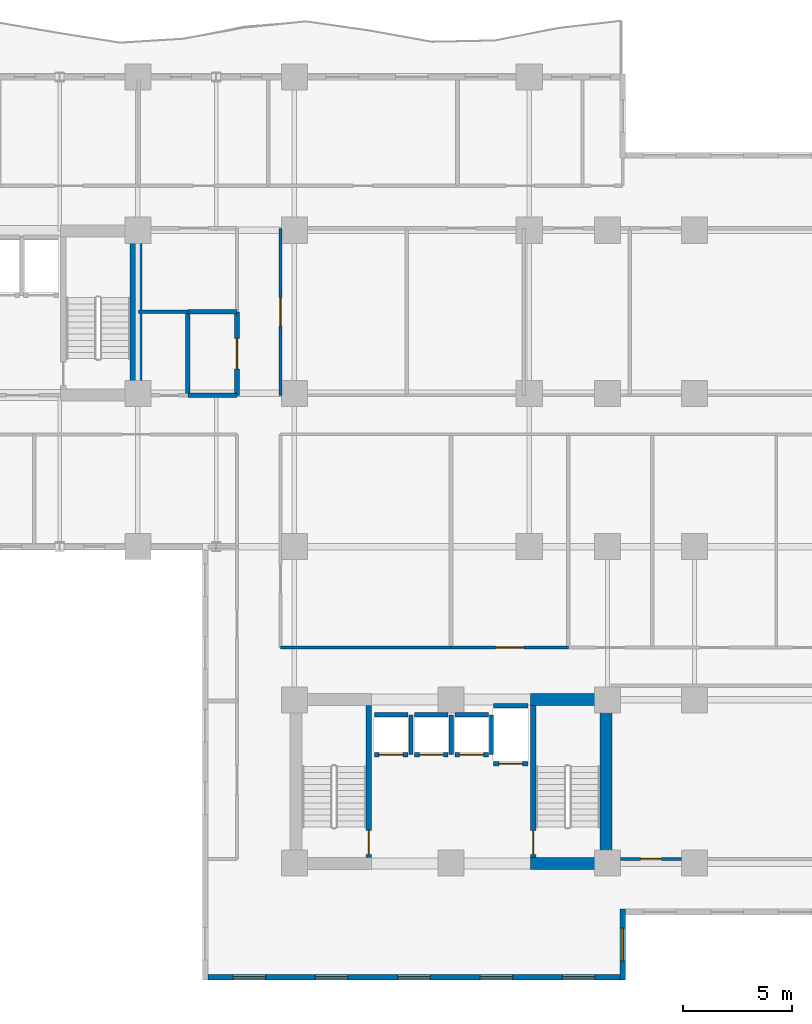
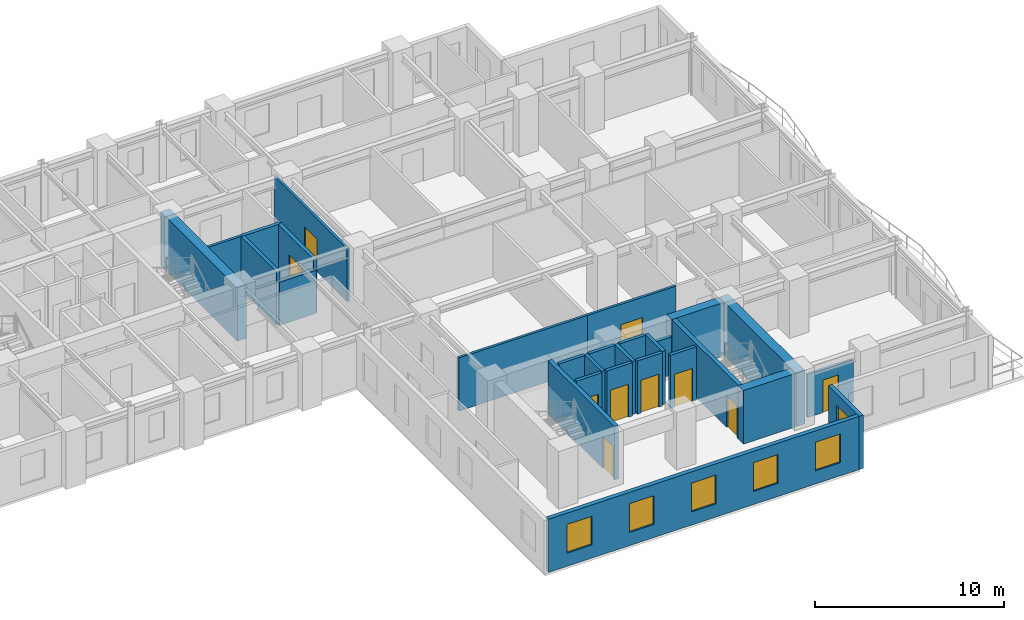
# One storey, part 10 of 17: 28 walls, 10 doors, 6 windows, 16 openings.
"""IFC4 building model written with IfcOpenShell, lengths in metres."""

from ifc_helpers import new_model, si_unit, direction, frame, frame_2d, origin, place, context, subcontext, project, spatial, rectangle, extrude, material, layer, layer_set, type_object, element, fill, save


model = new_model("IFC4")

# Units and contexts
model_context = context("Model", 3, precision=1e-05, world=origin(), true_north=direction((0.0, 1.0)))
body_context = subcontext(model_context, "Body", "Model", "MODEL_VIEW")
ifc_project = project(units=[si_unit("LENGTHUNIT", "METRE"), si_unit("AREAUNIT", "SQUARE_METRE"), si_unit("VOLUMEUNIT", "CUBIC_METRE"), si_unit("PLANEANGLEUNIT", "RADIAN"), si_unit("MASSUNIT", "GRAM", prefix="KILO")], contexts=[model_context])

# Site, building, storey
site_placement = place(None, origin())
site = spatial("IfcSite", under=ifc_project, at=site_placement, CompositionType="ELEMENT")
building_placement = place(site_placement, origin())
building = spatial("IfcBuilding", under=site, at=building_placement, Name="Kaliganga Portal Commons", CompositionType="ELEMENT")
storey_placement = place(building_placement, frame((0.0, 0.0, 108.199951171875)))
storey = spatial("IfcBuildingStorey", under=building, at=storey_placement, Name="L27", CompositionType="ELEMENT", Elevation=108.199951171875)

# Walls
ifc_material_1 = material(Name="Concrete C60/75", Category="concrete")
ifc_layer_1 = layer(ifc_material_1, 0.550048828125)
ifc_layer_set_1 = layer_set([ifc_layer_1], Name="Concrete C60/75")
wall_type_1 = type_object("IfcWallType", Name="WL-CORE-550", PredefinedType="SHEAR", material=ifc_layer_set_1)
wall_1_placement = place(storey_placement, frame((28.72509765625, 28.300048828125, 0.0), z_axis=(0.0, 0.0, 1.0), x_axis=(0.0, 1.0, 0.0)))
element("IfcWall", 1, at=wall_1_placement, inside=storey, type_object=wall_type_1, Name="Core A East Shear Wall L27", PredefinedType="SHEAR", context=body_context, shape_type="SweptSolid", body=[
    extrude(rectangle(XDim=8.099853515625, YDim=0.550048828125, at=frame_2d((4.0498046875, 0.0))), origin(), (0.0, 0.0, 1.0), 3.449951171875),
])
wall_2_placement = place(storey_placement, frame((50.324951171875, 6.75, 0.0), z_axis=(0.0, 0.0, 1.0), x_axis=(0.0, 1.0, 0.0)))
element("IfcWall", 2, at=wall_2_placement, inside=storey, type_object=wall_type_1, Name="Core B East Shear Wall L27", PredefinedType="SHEAR", context=body_context, shape_type="SweptSolid", body=[
    extrude(rectangle(XDim=8.10009765625, YDim=0.550048828125, at=frame_2d((4.050048828125, 0.0))), origin(), (0.0, 0.0, 1.0), 3.449951171875),
])
for number, where, z_axis, x_axis, name in (
    (3, (46.85009765625, 7.02490234375, 0.0), (0.0, 0.0, 1.0), (1.0, 0.0, 0.0), "Core B S-East Shear Wall L27"),
    (4, (46.85009765625, 14.574951171875, 0.0), (0.0, 0.0, 1.0), (1.0, 0.0, 0.0), "Core B N-East Shear Wall L27"),
):
    element("IfcWall", number, at=place(storey_placement, frame(where, z_axis=z_axis, x_axis=x_axis)), inside=storey, type_object=wall_type_1, Name=name, PredefinedType="SHEAR", context=body_context, shape_type="SweptSolid", body=[
        extrude(rectangle(XDim=3.199951171875, YDim=0.550048828125, at=frame_2d((1.60009765625, 0.0))), origin(), (0.0, 0.0, 1.0), 3.449951171875),
    ])

# Wall, openings, windows
ifc_material_2 = material(Name="Insulated Aluminium-Clad Spandrel Assembly", Category="aluminium")
ifc_layer_2 = layer(ifc_material_2, 0.260009765625)
ifc_layer_set_2 = layer_set([ifc_layer_2], Name="Insulated Aluminium-Clad Spandrel Assembly")
wall_type_2 = type_object("IfcWallType", Name="WL-EXT-SPAND-260", PredefinedType="STANDARD", material=ifc_layer_set_2)
wall_3_placement = place(storey_placement, frame((50.965087890625, 1.800048828125, 0.0), z_axis=(0.0, 0.0, 1.0), x_axis=(-1.0, 0.0, 0.0)))
wall_3 = element("IfcWall", 5, at=wall_3_placement, inside=storey, type_object=wall_type_2, Name="Exterior Envelope Wall L27 P1-E00-S1", PredefinedType="STANDARD", context=body_context, shape_type="SweptSolid", body=[
    extrude(rectangle(XDim=18.93017578125, YDim=0.260009765625, at=frame_2d((9.465087890625, 0.0))), origin(), (0.0, 0.0, 1.0), 3.429931640625),
])
opening_1_placement = place(wall_3_placement, frame((1.14306640625, 0.0, 0.85009765625)))
opening_1 = element("IfcOpeningElement", 6, at=opening_1_placement, cuts=wall_3, Name="Opening W-02", PredefinedType="OPENING", context=body_context, shape_type="SweptSolid", body=[
    extrude(rectangle(XDim=1.5, YDim=1.85009765625, at=frame_2d((0.75, 0.925048828125))), frame((0.0, 0.14013671875, 0.0), z_axis=(0.0, -1.0, 0.0), x_axis=(1.0, 0.0, 0.0)), (0.0, 0.0, 1.0), 0.280029296875),
])
opening_2_placement = place(wall_3_placement, frame((4.928955078125, 0.0, 0.85009765625)))
opening_2 = element("IfcOpeningElement", 7, at=opening_2_placement, cuts=wall_3, Name="Opening W-02", PredefinedType="OPENING", context=body_context, shape_type="SweptSolid", body=[
    extrude(rectangle(XDim=1.5, YDim=1.85009765625, at=frame_2d((0.75, 0.925048828125))), frame((0.0, 0.14013671875, 0.0), z_axis=(0.0, -1.0, 0.0), x_axis=(1.0, 0.0, 0.0)), (0.0, 0.0, 1.0), 0.280029296875),
])
opening_3_placement = place(wall_3_placement, frame((8.715087890625, 0.0, 0.85009765625)))
opening_3 = element("IfcOpeningElement", 8, at=opening_3_placement, cuts=wall_3, Name="Opening W-02", PredefinedType="OPENING", context=body_context, shape_type="SweptSolid", body=[
    extrude(rectangle(XDim=1.5, YDim=1.85009765625, at=frame_2d((0.75, 0.925048828125))), frame((0.0, 0.14013671875, 0.0), z_axis=(0.0, -1.0, 0.0), x_axis=(1.0, 0.0, 0.0)), (0.0, 0.0, 1.0), 0.280029296875),
])
opening_4_placement = place(wall_3_placement, frame((12.5009765625, 0.0, 0.85009765625)))
opening_4 = element("IfcOpeningElement", 9, at=opening_4_placement, cuts=wall_3, Name="Opening W-02", PredefinedType="OPENING", context=body_context, shape_type="SweptSolid", body=[
    extrude(rectangle(XDim=1.5, YDim=1.85009765625, at=frame_2d((0.75, 0.925048828125))), frame((0.0, 0.14013671875, 0.0), z_axis=(0.0, -1.0, 0.0), x_axis=(1.0, 0.0, 0.0)), (0.0, 0.0, 1.0), 0.280029296875),
])
opening_5_placement = place(wall_3_placement, frame((16.287109375, 0.0, 0.85009765625)))
opening_5 = element("IfcOpeningElement", 10, at=opening_5_placement, cuts=wall_3, Name="Opening W-02", PredefinedType="OPENING", context=body_context, shape_type="SweptSolid", body=[
    extrude(rectangle(XDim=1.5, YDim=1.85009765625, at=frame_2d((0.75, 0.925048828125))), frame((0.0, 0.14013671875, 0.0), z_axis=(0.0, -1.0, 0.0), x_axis=(1.0, 0.0, 0.0)), (0.0, 0.0, 1.0), 0.280029296875),
])
ifc_material_3 = material(Name="Thermally Broken Aluminium and Low-E Double Glazing", Category="aluminium")
window_type = type_object("IfcWindowType", Name="WIN-STD-1500", PartitioningType="DOUBLE_PANEL_VERTICAL", PredefinedType="WINDOW", material=ifc_material_3)
window_1_placement = place(opening_1_placement, origin())
window_1 = element("IfcWindow", 11, at=window_1_placement, inside=storey, type_object=window_type, Name="Facade Window L27-P1E00S1-00", OverallHeight=1.85009765625, OverallWidth=1.5, PartitioningType="SINGLE_PANEL", PredefinedType="WINDOW", context=body_context, shape_type="SweptSolid", body=[
    extrude(rectangle(XDim=1.5, YDim=1.85009765625, at=frame_2d((0.75, 0.925048828125))), frame((0.0, 0.030029296875, 0.0), z_axis=(0.0, -1.0, 0.0), x_axis=(1.0, 0.0, 0.0)), (0.0, 0.0, 1.0), 0.06005859375),
])
fill(opening_1, window_1)
window_2_placement = place(opening_2_placement, origin())
window_2 = element("IfcWindow", 12, at=window_2_placement, inside=storey, type_object=window_type, Name="Facade Window L27-P1E00S1-01", OverallHeight=1.85009765625, OverallWidth=1.5, PartitioningType="SINGLE_PANEL", PredefinedType="WINDOW", context=body_context, shape_type="SweptSolid", body=[
    extrude(rectangle(XDim=1.5, YDim=1.85009765625, at=frame_2d((0.75, 0.925048828125))), frame((0.0, 0.030029296875, 0.0), z_axis=(0.0, -1.0, 0.0), x_axis=(1.0, 0.0, 0.0)), (0.0, 0.0, 1.0), 0.06005859375),
])
fill(opening_2, window_2)
window_3_placement = place(opening_3_placement, origin())
window_3 = element("IfcWindow", 13, at=window_3_placement, inside=storey, type_object=window_type, Name="Facade Window L27-P1E00S1-02", OverallHeight=1.85009765625, OverallWidth=1.5, PartitioningType="SINGLE_PANEL", PredefinedType="WINDOW", context=body_context, shape_type="SweptSolid", body=[
    extrude(rectangle(XDim=1.5, YDim=1.85009765625, at=frame_2d((0.75, 0.925048828125))), frame((0.0, 0.030029296875, 0.0), z_axis=(0.0, -1.0, 0.0), x_axis=(1.0, 0.0, 0.0)), (0.0, 0.0, 1.0), 0.06005859375),
])
fill(opening_3, window_3)
window_4_placement = place(opening_4_placement, origin())
window_4 = element("IfcWindow", 14, at=window_4_placement, inside=storey, type_object=window_type, Name="Facade Window L27-P1E00S1-03", OverallHeight=1.85009765625, OverallWidth=1.5, PartitioningType="SINGLE_PANEL", PredefinedType="WINDOW", context=body_context, shape_type="SweptSolid", body=[
    extrude(rectangle(XDim=1.5, YDim=1.85009765625, at=frame_2d((0.75, 0.925048828125))), frame((0.0, 0.030029296875, 0.0), z_axis=(0.0, -1.0, 0.0), x_axis=(1.0, 0.0, 0.0)), (0.0, 0.0, 1.0), 0.06005859375),
])
fill(opening_4, window_4)
window_5_placement = place(opening_5_placement, origin())
window_5 = element("IfcWindow", 15, at=window_5_placement, inside=storey, type_object=window_type, Name="Facade Window L27-P1E00S1-04", OverallHeight=1.85009765625, OverallWidth=1.5, PartitioningType="SINGLE_PANEL", PredefinedType="WINDOW", context=body_context, shape_type="SweptSolid", body=[
    extrude(rectangle(XDim=1.5, YDim=1.85009765625, at=frame_2d((0.75, 0.925048828125))), frame((0.0, 0.030029296875, 0.0), z_axis=(0.0, -1.0, 0.0), x_axis=(1.0, 0.0, 0.0)), (0.0, 0.0, 1.0), 0.06005859375),
])
fill(opening_5, window_5)

# Wall, opening, window
wall_4_placement = place(storey_placement, frame((51.10009765625, 4.929931640625, 0.0), z_axis=(0.0, 0.0, 1.0), x_axis=(0.0, -1.0, 0.0)))
wall_4 = element("IfcWall", 16, at=wall_4_placement, inside=storey, type_object=wall_type_2, Name="Exterior Envelope Wall L27 P1-E01-S1", PredefinedType="STANDARD", context=body_context, shape_type="SweptSolid", body=[
    extrude(rectangle(XDim=3.260009765625, YDim=0.260009765625, at=frame_2d((1.6298828125, 0.0))), origin(), (0.0, 0.0, 1.0), 3.429931640625),
])
opening_6_placement = place(wall_4_placement, frame((0.8798828125, 0.0, 0.85009765625)))
opening_6 = element("IfcOpeningElement", 17, at=opening_6_placement, cuts=wall_4, Name="Opening W-02", PredefinedType="OPENING", context=body_context, shape_type="SweptSolid", body=[
    extrude(rectangle(XDim=1.5, YDim=1.85009765625, at=frame_2d((0.75, 0.925048828125))), frame((0.0, 0.14013671875, 0.0), z_axis=(0.0, -1.0, 0.0), x_axis=(1.0, 0.0, 0.0)), (0.0, 0.0, 1.0), 0.280029296875),
])
window_6_placement = place(opening_6_placement, origin())
window_6 = element("IfcWindow", 18, at=window_6_placement, inside=storey, type_object=window_type, Name="Facade Window L27-P1E01S1-00", OverallHeight=1.85009765625, OverallWidth=1.5, PartitioningType="SINGLE_PANEL", PredefinedType="WINDOW", context=body_context, shape_type="SweptSolid", body=[
    extrude(rectangle(XDim=1.5, YDim=1.85009765625, at=frame_2d((0.75, 0.925048828125))), frame((0.0, 0.030029296875, 0.0), z_axis=(0.0, -1.0, 0.0), x_axis=(1.0, 0.0, 0.0)), (0.0, 0.0, 1.0), 0.06005859375),
])
fill(opening_6, window_6)

# Wall, opening, door
ifc_material_4 = material(Name="Fire-Rated Gypsum Board on Steel Stud", Category="steel")
ifc_layer_3 = layer(ifc_material_4, 0.14990234375)
ifc_layer_set_3 = layer_set([ifc_layer_3], Name="Fire-Rated Gypsum Board on Steel Stud")
wall_type_3 = type_object("IfcWallType", Name="WL-PART-CORR-150", PredefinedType="PARTITIONING", material=ifc_layer_set_3)
wall_5_placement = place(storey_placement, frame((51.0, 7.239990234375, 0.0), z_axis=(0.0, 0.0, 1.0), x_axis=(1.0, 0.0, 0.0)))
wall_5 = element("IfcWall", 19, at=wall_5_placement, inside=storey, type_object=wall_type_3, Name="Interior Partition L27-001", PredefinedType="PARTITIONING", context=body_context, shape_type="SweptSolid", body=[
    extrude(rectangle(XDim=2.800048828125, YDim=0.14990234375, at=frame_2d((1.39990234375, 0.0))), origin(), (0.0, 0.0, 1.0), 2.780029296875),
])
opening_7_placement = place(wall_5_placement, frame((0.925048828125, 0.0, 0.0)))
opening_7 = element("IfcOpeningElement", 20, at=opening_7_placement, cuts=wall_5, Name="Opening UD-01", PredefinedType="OPENING", context=body_context, shape_type="SweptSolid", body=[
    extrude(rectangle(XDim=0.949951171875, YDim=2.10009765625, at=frame_2d((0.47509765625, 1.050048828125))), frame((0.0, 0.0849609375, 0.0), z_axis=(0.0, -1.0, 0.0), x_axis=(1.0, 0.0, 0.0)), (0.0, 0.0, 1.0), 0.169921875),
])
ifc_material_5 = material(Name="Solid-Core Timber Acoustic Fire Door", Category="wood")
door_type_1 = type_object("IfcDoorType", Name="DR-UNIT-950", OperationType="NOTDEFINED", PredefinedType="DOOR", material=ifc_material_5)
door_1_placement = place(opening_7_placement, origin())
door_1 = element("IfcDoor", 21, at=door_1_placement, inside=storey, type_object=door_type_1, Name="Interior Door L27-BE01", OperationType="SINGLE_SWING_LEFT", OverallHeight=2.10009765625, OverallWidth=0.949951171875, PredefinedType="DOOR", context=body_context, shape_type="SweptSolid", body=[
    extrude(rectangle(XDim=0.949951171875, YDim=2.10009765625, at=frame_2d((0.47509765625, 1.050048828125))), frame((0.0, 0.02490234375, 0.0), z_axis=(0.0, -1.0, 0.0), x_axis=(1.0, 0.0, 0.0)), (0.0, 0.0, 1.0), 0.050048828125),
])
fill(opening_7, door_1)

# Wall
wall_6_placement = place(storey_placement, frame((35.360107421875, 16.9599609375, 0.0), z_axis=(0.0, 0.0, 1.0), x_axis=(1.0, 0.0, 0.0)))
element("IfcWall", 22, at=wall_6_placement, inside=storey, type_object=wall_type_3, Name="Interior Partition L27-009", PredefinedType="PARTITIONING", context=body_context, shape_type="SweptSolid", body=[
    extrude(rectangle(XDim=7.83984375, YDim=0.14990234375, at=frame_2d((3.919921875, 0.0))), origin(), (0.0, 0.0, 1.0), 3.429931640625),
])

# Wall, opening, door
wall_7_placement = place(storey_placement, frame((35.360107421875, 28.56005859375, 0.0), z_axis=(0.0, 0.0, 1.0), x_axis=(0.0, 1.0, 0.0)))
wall_7 = element("IfcWall", 23, at=wall_7_placement, inside=storey, type_object=wall_type_3, Name="Interior Partition L27-010", PredefinedType="PARTITIONING", context=body_context, shape_type="SweptSolid", body=[
    extrude(rectangle(XDim=7.679931640625, YDim=0.14990234375, at=frame_2d((3.83984375, 0.0))), origin(), (0.0, 0.0, 1.0), 3.429931640625),
])
opening_8_placement = place(wall_7_placement, frame((3.18994140625, 0.0, 0.0)))
opening_8 = element("IfcOpeningElement", 24, at=opening_8_placement, cuts=wall_7, Name="Opening RD-03", PredefinedType="OPENING", context=body_context, shape_type="SweptSolid", body=[
    extrude(rectangle(XDim=1.300048828125, YDim=2.1201171875, at=frame_2d((0.64990234375, 1.06005859375))), frame((0.0, 0.0849609375, 0.0), z_axis=(0.0, -1.0, 0.0), x_axis=(1.0, 0.0, 0.0)), (0.0, 0.0, 1.0), 0.169921875),
])
ifc_material_6 = material(Name="Glazed Timber Seminar Vision Door", Category="wood")
door_type_2 = type_object("IfcDoorType", Name="DR-STUDY-1300", OperationType="DOUBLE_DOOR_SINGLE_SWING", PredefinedType="DOOR", material=ifc_material_6)
door_2_placement = place(opening_8_placement, origin())
door_2 = element("IfcDoor", 25, at=door_2_placement, inside=storey, type_object=door_type_2, Name="Interior Door L27-BK01", OperationType="DOUBLE_DOOR_SINGLE_SWING", OverallHeight=2.1201171875, OverallWidth=1.300048828125, PredefinedType="DOOR", context=body_context, shape_type="SweptSolid", body=[
    extrude(rectangle(XDim=1.300048828125, YDim=2.1201171875, at=frame_2d((0.64990234375, 1.06005859375))), frame((0.0, 0.02490234375, 0.0), z_axis=(0.0, -1.0, 0.0), x_axis=(1.0, 0.0, 0.0)), (0.0, 0.0, 1.0), 0.050048828125),
])
fill(opening_8, door_2)

wall_8_placement = place(storey_placement, frame((43.199951171875, 16.9599609375, 0.0), z_axis=(0.0, 0.0, 1.0), x_axis=(1.0, 0.0, 0.0)))
wall_8 = element("IfcWall", 26, at=wall_8_placement, inside=storey, type_object=wall_type_3, Name="Interior Partition L27-020", PredefinedType="PARTITIONING", context=body_context, shape_type="SweptSolid", body=[
    extrude(rectangle(XDim=5.400146484375, YDim=0.14990234375, at=frame_2d((2.7001953125, 0.0))), origin(), (0.0, 0.0, 1.0), 3.429931640625),
])
opening_9_placement = place(wall_8_placement, frame((2.050048828125, 0.0, 0.0)))
opening_9 = element("IfcOpeningElement", 27, at=opening_9_placement, cuts=wall_8, Name="Opening RD-03", PredefinedType="OPENING", context=body_context, shape_type="SweptSolid", body=[
    extrude(rectangle(XDim=1.300048828125, YDim=2.1201171875, at=frame_2d((0.64990234375, 1.06005859375))), frame((0.0, 0.0849609375, 0.0), z_axis=(0.0, -1.0, 0.0), x_axis=(1.0, 0.0, 0.0)), (0.0, 0.0, 1.0), 0.169921875),
])
door_3_placement = place(opening_9_placement, origin())
door_3 = element("IfcDoor", 28, at=door_3_placement, inside=storey, type_object=door_type_2, Name="Interior Door L27-BM02", OperationType="DOUBLE_DOOR_SINGLE_SWING", OverallHeight=2.1201171875, OverallWidth=1.300048828125, PredefinedType="DOOR", context=body_context, shape_type="SweptSolid", body=[
    extrude(rectangle(XDim=1.300048828125, YDim=2.1201171875, at=frame_2d((0.64990234375, 1.06005859375))), frame((0.0, 0.02490234375, 0.0), z_axis=(0.0, -1.0, 0.0), x_axis=(1.0, 0.0, 0.0)), (0.0, 0.0, 1.0), 0.050048828125),
])
fill(opening_9, door_3)

ifc_material_7 = material(Name="Lightweight blockwork masonry", Category="masonry")
ifc_layer_4 = layer(ifc_material_7, 0.215087890625)
ifc_layer_set_4 = layer_set([ifc_layer_4], Name="Lightweight blockwork masonry")
wall_type_4 = type_object("IfcWallType", Name="WL-PART-PLANT-215", PredefinedType="PARTITIONING", material=ifc_layer_set_4)
wall_9_placement = place(storey_placement, frame((33.360107421875, 28.56005859375, 0.0), z_axis=(0.0, 0.0, 1.0), x_axis=(0.0, 1.0, 0.0)))
wall_9 = element("IfcWall", 29, at=wall_9_placement, inside=storey, type_object=wall_type_4, Name="Interior Partition L27-029", PredefinedType="PARTITIONING", context=body_context, shape_type="SweptSolid", body=[
    extrude(rectangle(XDim=3.83984375, YDim=0.215087890625, at=frame_2d((1.919921875, 0.0))), origin(), (0.0, 0.0, 1.0), 3.429931640625),
])
opening_10_placement = place(wall_9_placement, frame((1.219970703125, 0.0, 0.0)))
opening_10 = element("IfcOpeningElement", 30, at=opening_10_placement, cuts=wall_9, Name="Opening PD-01", PredefinedType="OPENING", context=body_context, shape_type="SweptSolid", body=[
    extrude(rectangle(XDim=1.39990234375, YDim=2.14990234375, at=frame_2d((0.699951171875, 1.074951171875))), frame((0.0, 0.11767578125, 0.0), z_axis=(0.0, -1.0, 0.0), x_axis=(1.0, 0.0, 0.0)), (0.0, 0.0, 1.0), 0.235107421875),
])
ifc_material_8 = material(Name="Heavy-Duty Steel Acoustic Louvre Fire Door", Category="steel")
door_type_3 = type_object("IfcDoorType", Name="DR-PLANT-1400", OperationType="DOUBLE_DOOR_SINGLE_SWING", PredefinedType="DOOR", material=ifc_material_8)
door_4_placement = place(opening_10_placement, origin())
door_4 = element("IfcDoor", 31, at=door_4_placement, inside=storey, type_object=door_type_3, Name="Interior Door L27-CSRV_A3", OperationType="DOUBLE_DOOR_SINGLE_SWING", OverallHeight=2.14990234375, OverallWidth=1.39990234375, PredefinedType="DOOR", context=body_context, shape_type="SweptSolid", body=[
    extrude(rectangle(XDim=1.39990234375, YDim=2.14990234375, at=frame_2d((0.699951171875, 1.074951171875))), frame((0.0, 0.02490234375, 0.0), z_axis=(0.0, -1.0, 0.0), x_axis=(1.0, 0.0, 0.0)), (0.0, 0.0, 1.0), 0.050048828125),
])
fill(opening_10, door_4)

# Walls
wall_10_placement = place(storey_placement, frame((31.10009765625, 28.56005859375, 0.0), z_axis=(0.0, 0.0, 1.0), x_axis=(1.0, 0.0, 0.0)))
element("IfcWall", 32, at=wall_10_placement, inside=storey, type_object=wall_type_4, Name="Interior Partition L27-036", PredefinedType="PARTITIONING", context=body_context, shape_type="SweptSolid", body=[
    extrude(rectangle(XDim=2.260009765625, YDim=0.215087890625, at=frame_2d((1.1298828125, 0.0))), origin(), (0.0, 0.0, 1.0), 2.780029296875),
])
wall_11_placement = place(storey_placement, frame((31.10009765625, 28.56005859375, 0.0), z_axis=(0.0, 0.0, 1.0), x_axis=(0.0, 1.0, 0.0)))
element("IfcWall", 33, at=wall_11_placement, inside=storey, type_object=wall_type_4, Name="Interior Partition L27-071", PredefinedType="PARTITIONING", context=body_context, shape_type="SweptSolid", body=[
    extrude(rectangle(XDim=3.83984375, YDim=0.215087890625, at=frame_2d((1.919921875, 0.0))), origin(), (0.0, 0.0, 1.0), 3.429931640625),
])
wall_12_placement = place(storey_placement, frame((31.10009765625, 32.39990234375, 0.0), z_axis=(0.0, 0.0, 1.0), x_axis=(1.0, 0.0, 0.0)))
element("IfcWall", 34, at=wall_12_placement, inside=storey, type_object=wall_type_4, Name="Interior Partition L27-076", PredefinedType="PARTITIONING", context=body_context, shape_type="SweptSolid", body=[
    extrude(rectangle(XDim=2.260009765625, YDim=0.215087890625, at=frame_2d((1.1298828125, 0.0))), origin(), (0.0, 0.0, 1.0), 3.429931640625),
])
ifc_material_9 = material(Name="Twin-Stud Acoustic Gypsum Partition", Category="gypsum")
ifc_layer_5 = layer(ifc_material_9, 0.1650390625)
ifc_layer_set_5 = layer_set([ifc_layer_5], Name="Twin-Stud Acoustic Gypsum Partition")
wall_type_5 = type_object("IfcWallType", Name="WL-PART-UNIT-165", PredefinedType="PARTITIONING", material=ifc_layer_set_5)
wall_13_placement = place(storey_placement, frame((28.840087890625, 32.39990234375, 0.0), z_axis=(0.0, 0.0, 1.0), x_axis=(1.0, 0.0, 0.0)))
element("IfcWall", 35, at=wall_13_placement, inside=storey, type_object=wall_type_5, Name="Interior Partition L27-075", PredefinedType="PARTITIONING", context=body_context, shape_type="SweptSolid", body=[
    extrude(rectangle(XDim=2.260009765625, YDim=0.1650390625, at=frame_2d((1.1298828125, 0.0))), origin(), (0.0, 0.0, 1.0), 3.429931640625),
])

# Wall, opening, door
ifc_material_10 = material(Name="Fire-Rated Shaftwall Masonry Assembly", Category="masonry")
ifc_layer_6 = layer(ifc_material_10, 0.199951171875)
ifc_layer_set_6 = layer_set([ifc_layer_6], Name="Fire-Rated Shaftwall Masonry Assembly")
wall_type_6 = type_object("IfcWallType", Name="WL-SHAFT-200", PredefinedType="PARTITIONING", material=ifc_layer_set_6)
wall_14_placement = place(storey_placement, frame((39.675048828125, 12.034912109375, 0.0), z_axis=(0.0, 0.0, 1.0), x_axis=(1.0, 0.0, 0.0)))
wall_14 = element("IfcWall", 36, at=wall_14_placement, inside=storey, type_object=wall_type_6, Name="Lift PL-B1 Hoistway Shaft Wall L27-S", PredefinedType="PARTITIONING", context=body_context, shape_type="SweptSolid", body=[
    extrude(rectangle(XDim=1.550048828125, YDim=0.199951171875, at=frame_2d((0.77490234375, 0.0))), origin(), (0.0, 0.0, 1.0), 3.429931640625),
])
opening_11_placement = place(wall_14_placement, frame((0.22509765625, 0.0, 0.0)))
opening_11 = element("IfcOpeningElement", 37, at=opening_11_placement, cuts=wall_14, Name="Opening LD-01", PredefinedType="OPENING", context=body_context, shape_type="SweptSolid", body=[
    extrude(rectangle(XDim=1.10009765625, YDim=2.1201171875, at=frame_2d((0.550048828125, 1.06005859375))), frame((0.0, 0.10986328125, 0.0), z_axis=(0.0, -1.0, 0.0), x_axis=(1.0, 0.0, 0.0)), (0.0, 0.0, 1.0), 0.219970703125),
])
ifc_material_11 = material(Name="Brushed Stainless Steel 316 Lift Landing Door", Category="steel")
door_type_4 = type_object("IfcDoorType", Name="DR-LIFT-1100", OperationType="SLIDING_TO_LEFT", PredefinedType="DOOR", material=ifc_material_11)
door_5_placement = place(opening_11_placement, origin())
door_5 = element("IfcDoor", 38, at=door_5_placement, inside=storey, type_object=door_type_4, Name="Lift PL-B1 Sliding Landing Door L27", OperationType="SLIDING_TO_LEFT", OverallHeight=2.1201171875, OverallWidth=1.10009765625, PredefinedType="DOOR", context=body_context, shape_type="SweptSolid", body=[
    extrude(rectangle(XDim=1.10009765625, YDim=2.1201171875, at=frame_2d((0.550048828125, 1.06005859375))), frame((0.0, 0.02490234375, 0.0), z_axis=(0.0, -1.0, 0.0), x_axis=(1.0, 0.0, 0.0)), (0.0, 0.0, 1.0), 0.050048828125),
])
fill(opening_11, door_5)

# Walls
wall_15_placement = place(storey_placement, frame((39.675048828125, 13.864990234375, 0.0), z_axis=(0.0, 0.0, 1.0), x_axis=(1.0, 0.0, 0.0)))
element("IfcWall", 39, at=wall_15_placement, inside=storey, type_object=wall_type_6, Name="Lift PL-B1 Hoistway Shaft Wall L27-N", PredefinedType="PARTITIONING", context=body_context, shape_type="SweptSolid", body=[
    extrude(rectangle(XDim=1.550048828125, YDim=0.199951171875, at=frame_2d((0.77490234375, 0.0))), origin(), (0.0, 0.0, 1.0), 3.429931640625),
])
wall_16_placement = place(storey_placement, frame((41.364990234375, 12.034912109375, 0.0), z_axis=(0.0, 0.0, 1.0), x_axis=(0.0, 1.0, 0.0)))
element("IfcWall", 40, at=wall_16_placement, inside=storey, type_object=wall_type_6, Name="Lift PL-B1 Hoistway Shaft Wall L27-E", PredefinedType="PARTITIONING", context=body_context, shape_type="SweptSolid", body=[
    extrude(rectangle(XDim=1.830078125, YDim=0.199951171875, at=frame_2d((0.9150390625, 0.0))), origin(), (0.0, 0.0, 1.0), 3.429931640625),
])

# Wall, opening, door
wall_17_placement = place(storey_placement, frame((41.52490234375, 12.034912109375, 0.0), z_axis=(0.0, 0.0, 1.0), x_axis=(1.0, 0.0, 0.0)))
wall_17 = element("IfcWall", 41, at=wall_17_placement, inside=storey, type_object=wall_type_6, Name="Lift PL-B2 Hoistway Shaft Wall L27-S", PredefinedType="PARTITIONING", context=body_context, shape_type="SweptSolid", body=[
    extrude(rectangle(XDim=1.550048828125, YDim=0.199951171875, at=frame_2d((0.77490234375, 0.0))), origin(), (0.0, 0.0, 1.0), 3.429931640625),
])
opening_12_placement = place(wall_17_placement, frame((0.22509765625, 0.0, 0.0)))
opening_12 = element("IfcOpeningElement", 42, at=opening_12_placement, cuts=wall_17, Name="Opening LD-01", PredefinedType="OPENING", context=body_context, shape_type="SweptSolid", body=[
    extrude(rectangle(XDim=1.10009765625, YDim=2.1201171875, at=frame_2d((0.550048828125, 1.06005859375))), frame((0.0, 0.10986328125, 0.0), z_axis=(0.0, -1.0, 0.0), x_axis=(1.0, 0.0, 0.0)), (0.0, 0.0, 1.0), 0.219970703125),
])
door_6_placement = place(opening_12_placement, origin())
door_6 = element("IfcDoor", 43, at=door_6_placement, inside=storey, type_object=door_type_4, Name="Lift PL-B2 Sliding Landing Door L27", OperationType="SLIDING_TO_LEFT", OverallHeight=2.1201171875, OverallWidth=1.10009765625, PredefinedType="DOOR", context=body_context, shape_type="SweptSolid", body=[
    extrude(rectangle(XDim=1.10009765625, YDim=2.1201171875, at=frame_2d((0.550048828125, 1.06005859375))), frame((0.0, 0.02490234375, 0.0), z_axis=(0.0, -1.0, 0.0), x_axis=(1.0, 0.0, 0.0)), (0.0, 0.0, 1.0), 0.050048828125),
])
fill(opening_12, door_6)

# Walls
wall_18_placement = place(storey_placement, frame((41.52490234375, 13.864990234375, 0.0), z_axis=(0.0, 0.0, 1.0), x_axis=(1.0, 0.0, 0.0)))
element("IfcWall", 44, at=wall_18_placement, inside=storey, type_object=wall_type_6, Name="Lift PL-B2 Hoistway Shaft Wall L27-N", PredefinedType="PARTITIONING", context=body_context, shape_type="SweptSolid", body=[
    extrude(rectangle(XDim=1.550048828125, YDim=0.199951171875, at=frame_2d((0.77490234375, 0.0))), origin(), (0.0, 0.0, 1.0), 3.429931640625),
])
wall_19_placement = place(storey_placement, frame((43.215087890625, 12.034912109375, 0.0), z_axis=(0.0, 0.0, 1.0), x_axis=(0.0, 1.0, 0.0)))
element("IfcWall", 45, at=wall_19_placement, inside=storey, type_object=wall_type_6, Name="Lift PL-B2 Hoistway Shaft Wall L27-E", PredefinedType="PARTITIONING", context=body_context, shape_type="SweptSolid", body=[
    extrude(rectangle(XDim=1.830078125, YDim=0.199951171875, at=frame_2d((0.9150390625, 0.0))), origin(), (0.0, 0.0, 1.0), 3.429931640625),
])

# Wall, opening, door
wall_20_placement = place(storey_placement, frame((43.375, 12.034912109375, 0.0), z_axis=(0.0, 0.0, 1.0), x_axis=(1.0, 0.0, 0.0)))
wall_20 = element("IfcWall", 46, at=wall_20_placement, inside=storey, type_object=wall_type_6, Name="Lift SH-2 Hoistway Shaft Wall L27-S", PredefinedType="PARTITIONING", context=body_context, shape_type="SweptSolid", body=[
    extrude(rectangle(XDim=1.550048828125, YDim=0.199951171875, at=frame_2d((0.77490234375, 0.0))), origin(), (0.0, 0.0, 1.0), 3.429931640625),
])
opening_13_placement = place(wall_20_placement, frame((0.22509765625, 0.0, 0.0)))
opening_13 = element("IfcOpeningElement", 47, at=opening_13_placement, cuts=wall_20, Name="Opening LD-01", PredefinedType="OPENING", context=body_context, shape_type="SweptSolid", body=[
    extrude(rectangle(XDim=1.10009765625, YDim=2.1201171875, at=frame_2d((0.550048828125, 1.06005859375))), frame((0.0, 0.10986328125, 0.0), z_axis=(0.0, -1.0, 0.0), x_axis=(1.0, 0.0, 0.0)), (0.0, 0.0, 1.0), 0.219970703125),
])
door_7_placement = place(opening_13_placement, origin())
door_7 = element("IfcDoor", 48, at=door_7_placement, inside=storey, type_object=door_type_4, Name="Lift SH-2 Sliding Landing Door L27", OperationType="SLIDING_TO_LEFT", OverallHeight=2.1201171875, OverallWidth=1.10009765625, PredefinedType="DOOR", context=body_context, shape_type="SweptSolid", body=[
    extrude(rectangle(XDim=1.10009765625, YDim=2.1201171875, at=frame_2d((0.550048828125, 1.06005859375))), frame((0.0, 0.02490234375, 0.0), z_axis=(0.0, -1.0, 0.0), x_axis=(1.0, 0.0, 0.0)), (0.0, 0.0, 1.0), 0.050048828125),
])
fill(opening_13, door_7)

# Walls
wall_21_placement = place(storey_placement, frame((43.375, 13.864990234375, 0.0), z_axis=(0.0, 0.0, 1.0), x_axis=(1.0, 0.0, 0.0)))
element("IfcWall", 49, at=wall_21_placement, inside=storey, type_object=wall_type_6, Name="Lift SH-2 Hoistway Shaft Wall L27-N", PredefinedType="PARTITIONING", context=body_context, shape_type="SweptSolid", body=[
    extrude(rectangle(XDim=1.550048828125, YDim=0.199951171875, at=frame_2d((0.77490234375, 0.0))), origin(), (0.0, 0.0, 1.0), 3.429931640625),
])
wall_22_placement = place(storey_placement, frame((45.06494140625, 12.034912109375, 0.0), z_axis=(0.0, 0.0, 1.0), x_axis=(0.0, 1.0, 0.0)))
element("IfcWall", 50, at=wall_22_placement, inside=storey, type_object=wall_type_6, Name="Lift SH-2 Hoistway Shaft Wall L27-E", PredefinedType="PARTITIONING", context=body_context, shape_type="SweptSolid", body=[
    extrude(rectangle(XDim=1.830078125, YDim=0.199951171875, at=frame_2d((0.9150390625, 0.0))), origin(), (0.0, 0.0, 1.0), 3.429931640625),
])

# Wall, opening, door
wall_23_placement = place(storey_placement, frame((45.14990234375, 11.610107421875, 0.0), z_axis=(0.0, 0.0, 1.0), x_axis=(1.0, 0.0, 0.0)))
wall_23 = element("IfcWall", 51, at=wall_23_placement, inside=storey, type_object=wall_type_6, Name="Lift SL-B1 Hoistway Shaft Wall L27-S", PredefinedType="PARTITIONING", context=body_context, shape_type="SweptSolid", body=[
    extrude(rectangle(XDim=1.60009765625, YDim=0.199951171875, at=frame_2d((0.800048828125, 0.0))), origin(), (0.0, 0.0, 1.0), 3.429931640625),
])
opening_14_placement = place(wall_23_placement, frame((0.25, 0.0, 0.0)))
opening_14 = element("IfcOpeningElement", 52, at=opening_14_placement, cuts=wall_23, Name="Opening LD-01", PredefinedType="OPENING", context=body_context, shape_type="SweptSolid", body=[
    extrude(rectangle(XDim=1.10009765625, YDim=2.1201171875, at=frame_2d((0.550048828125, 1.06005859375))), frame((0.0, 0.10986328125, 0.0), z_axis=(0.0, -1.0, 0.0), x_axis=(1.0, 0.0, 0.0)), (0.0, 0.0, 1.0), 0.219970703125),
])
door_8_placement = place(opening_14_placement, origin())
door_8 = element("IfcDoor", 53, at=door_8_placement, inside=storey, type_object=door_type_4, Name="Lift SL-B1 Sliding Landing Door L27", OperationType="SLIDING_TO_LEFT", OverallHeight=2.1201171875, OverallWidth=1.10009765625, PredefinedType="DOOR", context=body_context, shape_type="SweptSolid", body=[
    extrude(rectangle(XDim=1.10009765625, YDim=2.1201171875, at=frame_2d((0.550048828125, 1.06005859375))), frame((0.0, 0.02490234375, 0.0), z_axis=(0.0, -1.0, 0.0), x_axis=(1.0, 0.0, 0.0)), (0.0, 0.0, 1.0), 0.050048828125),
])
fill(opening_14, door_8)

# Wall
wall_24_placement = place(storey_placement, frame((45.14990234375, 14.2900390625, 0.0), z_axis=(0.0, 0.0, 1.0), x_axis=(1.0, 0.0, 0.0)))
element("IfcWall", 54, at=wall_24_placement, inside=storey, type_object=wall_type_6, Name="Lift SL-B1 Hoistway Shaft Wall L27-N", PredefinedType="PARTITIONING", context=body_context, shape_type="SweptSolid", body=[
    extrude(rectangle(XDim=1.60009765625, YDim=0.199951171875, at=frame_2d((0.800048828125, 0.0))), origin(), (0.0, 0.0, 1.0), 2.429931640625),
])

# Wall, opening, door
ifc_material_12 = material(Name="Concrete C50/60", Category="concrete")
ifc_layer_7 = layer(ifc_material_12, 0.25)
ifc_layer_set_7 = layer_set([ifc_layer_7], Name="Concrete C50/60")
wall_type_7 = type_object("IfcWallType", Name="WL-STAIR-250", PredefinedType="SHEAR", material=ifc_layer_set_7)
wall_25_placement = place(storey_placement, frame((39.425048828125, 7.300048828125, 0.0), z_axis=(0.0, 0.0, 1.0), x_axis=(0.0, 1.0, 0.0)))
wall_25 = element("IfcWall", 55, at=wall_25_placement, inside=storey, type_object=wall_type_7, Name="Stair B1 Enclosure Shear Wall L27", PredefinedType="SHEAR", context=body_context, shape_type="SweptSolid", body=[
    extrude(rectangle(XDim=7.0, YDim=0.25, at=frame_2d((3.5, 0.0))), origin(), (0.0, 0.0, 1.0), 3.449951171875),
])
opening_15_placement = place(wall_25_placement, frame((0.14990234375, 0.0, 0.0)))
opening_15 = element("IfcOpeningElement", 56, at=opening_15_placement, cuts=wall_25, Name="Opening SD-01", PredefinedType="OPENING", context=body_context, shape_type="SweptSolid", body=[
    extrude(rectangle(XDim=1.10009765625, YDim=2.080078125, at=frame_2d((0.550048828125, 1.0400390625))), frame((0.0, 0.135009765625, 0.0), z_axis=(0.0, -1.0, 0.0), x_axis=(1.0, 0.0, 0.0)), (0.0, 0.0, 1.0), 0.27001953125),
])
ifc_material_13 = material(Name="Galvanized Steel Fire Door Leaf and Frame", Category="steel")
door_type_5 = type_object("IfcDoorType", Name="DR-STAIR-1100", OperationType="NOTDEFINED", PredefinedType="DOOR", material=ifc_material_13)
door_9_placement = place(opening_15_placement, origin())
door_9 = element("IfcDoor", 57, at=door_9_placement, inside=storey, type_object=door_type_5, Name="Protected Stair ST-B1 Fire Door L27", OperationType="SINGLE_SWING_LEFT", OverallHeight=2.080078125, OverallWidth=1.10009765625, PredefinedType="DOOR", context=body_context, shape_type="SweptSolid", body=[
    extrude(rectangle(XDim=1.10009765625, YDim=2.080078125, at=frame_2d((0.550048828125, 1.0400390625))), frame((0.0, 0.02490234375, 0.0), z_axis=(0.0, -1.0, 0.0), x_axis=(1.0, 0.0, 0.0)), (0.0, 0.0, 1.0), 0.050048828125),
])
fill(opening_15, door_9)

wall_26_placement = place(storey_placement, frame((46.97509765625, 7.300048828125, 0.0), z_axis=(0.0, 0.0, 1.0), x_axis=(0.0, 1.0, 0.0)))
wall_26 = element("IfcWall", 58, at=wall_26_placement, inside=storey, type_object=wall_type_7, Name="Stair B2 Enclosure Shear Wall L27", PredefinedType="SHEAR", context=body_context, shape_type="SweptSolid", body=[
    extrude(rectangle(XDim=7.0, YDim=0.25, at=frame_2d((3.5, 0.0))), origin(), (0.0, 0.0, 1.0), 3.449951171875),
])
opening_16_placement = place(wall_26_placement, frame((0.14990234375, 0.0, 0.0)))
opening_16 = element("IfcOpeningElement", 59, at=opening_16_placement, cuts=wall_26, Name="Opening SD-01", PredefinedType="OPENING", context=body_context, shape_type="SweptSolid", body=[
    extrude(rectangle(XDim=1.10009765625, YDim=2.080078125, at=frame_2d((0.550048828125, 1.0400390625))), frame((0.0, 0.135009765625, 0.0), z_axis=(0.0, -1.0, 0.0), x_axis=(1.0, 0.0, 0.0)), (0.0, 0.0, 1.0), 0.27001953125),
])
door_10_placement = place(opening_16_placement, origin())
door_10 = element("IfcDoor", 60, at=door_10_placement, inside=storey, type_object=door_type_5, Name="Protected Stair ST-B2 Fire Door L27", OperationType="SINGLE_SWING_RIGHT", OverallHeight=2.080078125, OverallWidth=1.10009765625, PredefinedType="DOOR", context=body_context, shape_type="SweptSolid", body=[
    extrude(rectangle(XDim=1.10009765625, YDim=2.080078125, at=frame_2d((0.550048828125, 1.0400390625))), frame((0.0, 0.02490234375, 0.0), z_axis=(0.0, -1.0, 0.0), x_axis=(1.0, 0.0, 0.0)), (0.0, 0.0, 1.0), 0.050048828125),
])
fill(opening_16, door_10)

save(model, "model.ifc")
